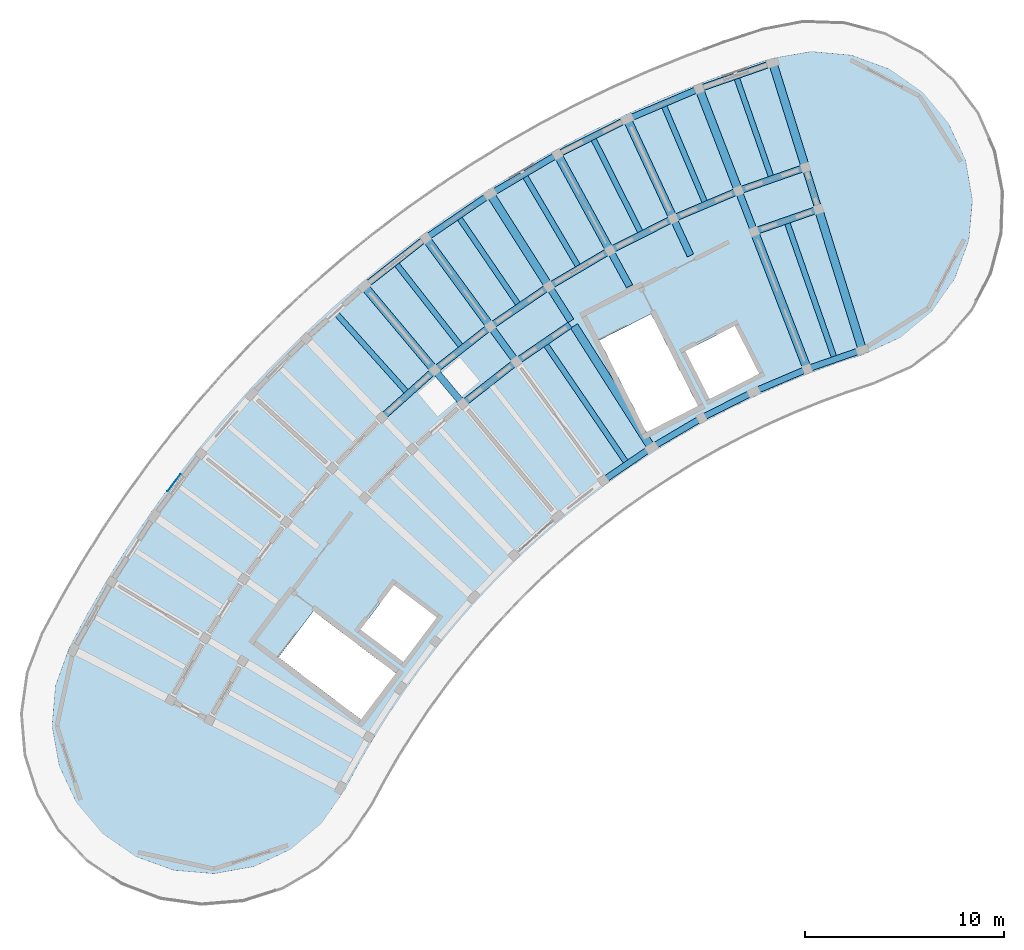
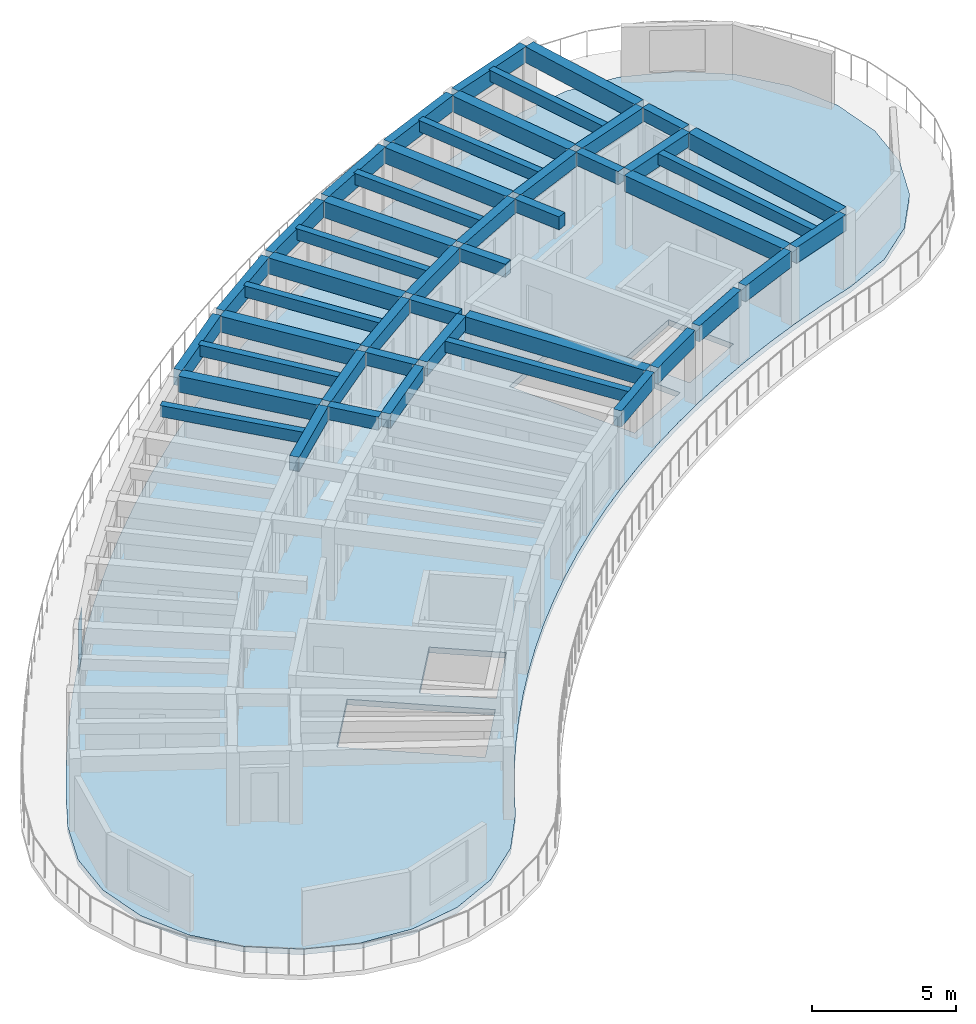
# One storey, part 3 of 9: 47 beams, 1 plate, 1 slab.
"""IFC4 building model written with IfcOpenShell, lengths in metres."""

from ifc_helpers import new_model, si_unit, direction, frame, origin, origin_2d, place, context, subcontext, project, spatial, polyline, rectangle, outline, extrude, material, layer, layer_set, material_profile, profile_set, type_object, element, save


model = new_model("IFC4")

# Units and contexts
model_context = context("Model", 3, precision=1e-05, world=origin(), true_north=direction((0.0, 1.0)))
body_context = subcontext(model_context, "Body", "Model", "MODEL_VIEW")
ifc_project = project(units=[si_unit("LENGTHUNIT", "METRE"), si_unit("AREAUNIT", "SQUARE_METRE"), si_unit("VOLUMEUNIT", "CUBIC_METRE"), si_unit("PLANEANGLEUNIT", "RADIAN"), si_unit("MASSUNIT", "GRAM", prefix="KILO")], contexts=[model_context])

# Site, building, storey
site_placement = place(None, origin())
site = spatial("IfcSite", under=ifc_project, at=site_placement, CompositionType="ELEMENT")
building_placement = place(site_placement, origin())
building = spatial("IfcBuilding", under=site, at=building_placement, Name="Tanwirah Colonnade Gardens", CompositionType="ELEMENT")
storey_placement = place(building_placement, frame((0.0, 0.0, 49.159912109375)))
storey = spatial("IfcBuildingStorey", under=building, at=storey_placement, Name="L14", CompositionType="ELEMENT", Elevation=49.159912109375)

# Beams
ifc_material_1 = material(Name="Precast concrete C40/50", Category="concrete")
ifc_material_profile_1 = material_profile(ifc_material_1, rectangle(XDim=0.35009765625, YDim=0.550048828125, at=origin_2d()), Name="PC-BM 350x550")
ifc_profile_set_1 = profile_set([ifc_material_profile_1], Name="Precast concrete C40/50")
beam_type_1 = type_object("IfcBeamType", Name="BM-PC350A", PredefinedType="BEAM", material=ifc_profile_set_1)
for number, where, z_axis, x_axis, name in (
    (1, (49.507568359375, 109.838623046875, 2.8251953125), (-0.297857918398, 0.954610213882, 0.0), (-0.954610213882, -0.297857918398, 0.0), "Block A L14 Corridor Tie Beam 3"),
    (2, (46.270751953125, 108.7099609375, 2.8251953125), (-0.360175656082, 0.932884503444, 0.0), (-0.932884503444, -0.360175656082, 0.0), "Block A L14 Corridor Tie Beam 4"),
    (3, (43.115234375, 107.37060546875, 2.8251953125), (-0.420858322681, 0.90712638162, 0.0), (-0.90712638162, -0.420858322681, 0.0), "Block A L14 Corridor Tie Beam 5"),
    (4, (40.054931640625, 105.826171875, 2.8251953125), (-0.479707235792, 0.877428611301, 0.0), (-0.877428611301, -0.479707235792, 0.0), "Block A L14 Corridor Tie Beam 6"),
    (5, (37.10302734375, 104.08349609375, 2.8251953125), (-0.536509579595, 0.843894229749, 0.0), (-0.843894229749, -0.536509579595, 0.0), "Block A L14 Corridor Tie Beam 7"),
):
    element("IfcBeam", number, at=place(storey_placement, frame(where, z_axis=z_axis, x_axis=x_axis)), inside=storey, type_object=beam_type_1, Name=name, PredefinedType="BEAM", context=body_context, shape_type="SweptSolid", body=[
        extrude(rectangle(XDim=0.35009765625, YDim=0.550048828125, at=origin_2d()), origin(), (0.0, 0.0, 1.0), 1.89990234375),
    ])
beam_1_placement = place(storey_placement, frame((34.272216796875, 102.14990234375, 2.8251953125), z_axis=(-0.590895676149, 0.806747977939, 0.0), x_axis=(-0.806747977939, -0.590895676149, 0.0)))
element("IfcBeam", 6, at=beam_1_placement, inside=storey, type_object=beam_type_1, Name="Block A L14 Corridor Tie Beam 8", PredefinedType="BEAM", context=body_context, shape_type="SweptSolid", body=[
    extrude(rectangle(XDim=0.35009765625, YDim=0.550048828125, at=origin_2d()), origin(), (0.0, 0.0, 1.0), 1.900146484375),
])
beam_2_placement = place(storey_placement, frame((31.574951171875, 100.034423828125, 2.8251953125), z_axis=(-0.642797194343, 0.766036400535, 0.0), x_axis=(-0.766036400535, -0.642797194343, 0.0)))
element("IfcBeam", 7, at=beam_2_placement, inside=storey, type_object=beam_type_1, Name="Block A L14 Corridor Tie Beam 9", PredefinedType="BEAM", context=body_context, shape_type="SweptSolid", body=[
    extrude(rectangle(XDim=0.35009765625, YDim=0.550048828125, at=origin_2d()), origin(), (0.0, 0.0, 1.0), 1.89990234375),
])
ifc_material_profile_2 = material_profile(ifc_material_1, rectangle(XDim=0.35009765625, YDim=0.60009765625, at=origin_2d()), Name="PC-BM 350x600")
ifc_profile_set_2 = profile_set([ifc_material_profile_2], Name="Precast concrete C40/50")
beam_type_2 = type_object("IfcBeamType", Name="BM-PC350B", PredefinedType="BEAM", material=ifc_profile_set_2)
beam_3_placement = place(storey_placement, frame((49.41064453125, 109.64599609375, 2.800048828125), z_axis=(-0.944248304077, -0.329234172358, 0.0), x_axis=(0.329234172358, -0.944248304077, 0.0)))
element("IfcBeam", 8, at=beam_3_placement, inside=storey, type_object=beam_type_2, Name="Block A L14 Circumferential Beam 3-R1", PredefinedType="BEAM", context=body_context, shape_type="SweptSolid", body=[
    extrude(rectangle(XDim=0.35009765625, YDim=0.60009765625, at=origin_2d()), origin(), (0.0, 0.0, 1.0), 3.1181640625),
])
for number, where, z_axis, x_axis, name in (
    (9, (48.755126953125, 111.74609375, 2.800048828125), (-0.944231021702, -0.329283734272, 0.0), (0.329283734272, -0.944231021702, 0.0), "Block A L14 Circumferential Beam 3-R2"),
    (10, (45.394287109375, 110.563720703125, 2.800048828125), (-0.920513294115, -0.390711242938, 0.0), (0.390711242938, -0.920513294115, 0.0), "Block A L14 Circumferential Beam 4-R2"),
):
    element("IfcBeam", number, at=place(storey_placement, frame(where, z_axis=z_axis, x_axis=x_axis)), inside=storey, type_object=beam_type_2, Name=name, PredefinedType="BEAM", context=body_context, shape_type="SweptSolid", body=[
        extrude(rectangle(XDim=0.35009765625, YDim=0.60009765625, at=origin_2d()), origin(), (0.0, 0.0, 1.0), 3.262939453125),
    ])
for number, where, z_axis, x_axis, name in (
    (11, (42.11865234375, 109.16259765625, 2.800048828125), (-0.89276014323, -0.450532270387, 0.0), (0.450532270387, -0.89276014323, 0.0), "Block A L14 Circumferential Beam 5-R2"),
    (12, (38.9423828125, 107.548583984375, 2.800048828125), (-0.861134978964, -0.508376384193, 0.0), (0.508376384193, -0.861134978964, 0.0), "Block A L14 Circumferential Beam 6-R2"),
):
    element("IfcBeam", number, at=place(storey_placement, frame(where, z_axis=z_axis, x_axis=x_axis)), inside=storey, type_object=beam_type_2, Name=name, PredefinedType="BEAM", context=body_context, shape_type="SweptSolid", body=[
        extrude(rectangle(XDim=0.35009765625, YDim=0.60009765625, at=origin_2d()), origin(), (0.0, 0.0, 1.0), 3.26318359375),
    ])
beam_4_placement = place(storey_placement, frame((37.0595703125, 103.872314453125, 2.800048828125), z_axis=(-0.825758291455, -0.564024152047, 0.0), x_axis=(0.564024152047, -0.825758291455, 0.0)))
element("IfcBeam", 13, at=beam_4_placement, inside=storey, type_object=beam_type_2, Name="Block A L14 Circumferential Beam 7-R1", PredefinedType="BEAM", context=body_context, shape_type="SweptSolid", body=[
    extrude(rectangle(XDim=0.35009765625, YDim=0.60009765625, at=origin_2d()), origin(), (0.0, 0.0, 1.0), 3.118408203125),
])
beam_5_placement = place(storey_placement, frame((35.87939453125, 105.728759765625, 2.800048828125), z_axis=(-0.825782284145, -0.563989024, 0.0), x_axis=(0.563989024, -0.825782284145, 0.0)))
element("IfcBeam", 14, at=beam_5_placement, inside=storey, type_object=beam_type_2, Name="Block A L14 Circumferential Beam 7-R2", PredefinedType="BEAM", context=body_context, shape_type="SweptSolid", body=[
    extrude(rectangle(XDim=0.35009765625, YDim=0.60009765625, at=origin_2d()), origin(), (0.0, 0.0, 1.0), 3.26318359375),
])
beam_6_placement = place(storey_placement, frame((34.242919921875, 101.9365234375, 2.800048828125), z_axis=(-0.78679899272, -0.617209320292, 0.0), x_axis=(0.617209320292, -0.78679899272, 0.0)))
element("IfcBeam", 15, at=beam_6_placement, inside=storey, type_object=beam_type_2, Name="Block A L14 Circumferential Beam 8-R1", PredefinedType="BEAM", context=body_context, shape_type="SweptSolid", body=[
    extrude(rectangle(XDim=0.35009765625, YDim=0.60009765625, at=origin_2d()), origin(), (0.0, 0.0, 1.0), 3.1181640625),
])
for number, where, z_axis, x_axis, name in (
    (16, (32.94287109375, 103.711181640625, 2.800048828125), (-0.786839882256, -0.617157192044, 0.0), (0.617157192044, -0.786839882256, 0.0), "Block A L14 Circumferential Beam 8-R2"),
    (17, (30.145751953125, 101.504638671875, 2.800048828125), (-0.744409136578, -0.667723773262, 0.0), (0.667723773262, -0.744409136578, 0.0), "Block A L14 Circumferential Beam 9-R2"),
):
    element("IfcBeam", number, at=place(storey_placement, frame(where, z_axis=z_axis, x_axis=x_axis)), inside=storey, type_object=beam_type_2, Name=name, PredefinedType="BEAM", context=body_context, shape_type="SweptSolid", body=[
        extrude(rectangle(XDim=0.35009765625, YDim=0.60009765625, at=origin_2d()), origin(), (0.0, 0.0, 1.0), 3.26318359375),
    ])
ifc_material_2 = material(Name="Precast concrete C45/55", Category="concrete")
ifc_material_profile_3 = material_profile(ifc_material_2, rectangle(XDim=0.419921875, YDim=0.679931640625, at=origin_2d()), Name="PC-BM 420x680")
ifc_profile_set_3 = profile_set([ifc_material_profile_3], Name="Precast concrete C45/55")
beam_type_3 = type_object("IfcBeamType", Name="BM-PC420", PredefinedType="BEAM", material=ifc_profile_set_3)
beam_7_placement = place(storey_placement, frame((49.596923828125, 109.55224609375, 2.760009765625), z_axis=(0.297951921971, -0.954580877765, 0.0), x_axis=(0.954580877765, 0.297951921971, 0.0)))
element("IfcBeam", 18, at=beam_7_placement, inside=storey, type_object=beam_type_3, Name="Block A L14 Inner Radial Precast Girder 3", PredefinedType="BEAM", context=body_context, shape_type="SweptSolid", body=[
    extrude(rectangle(XDim=0.419921875, YDim=0.679931640625, at=origin_2d()), origin(), (0.0, 0.0, 1.0), 7.10009765625),
])
beam_8_placement = place(storey_placement, frame((48.852294921875, 111.938720703125, 2.760009765625), z_axis=(-0.297943486107, 0.954583510798, 0.0), x_axis=(-0.954583510798, -0.297943486107, 0.0)))
element("IfcBeam", 19, at=beam_8_placement, inside=storey, type_object=beam_type_3, Name="Block A L14 Outer Radial Precast Girder 3", PredefinedType="BEAM", context=body_context, shape_type="SweptSolid", body=[
    extrude(rectangle(XDim=0.419921875, YDim=0.679931640625, at=origin_2d()), origin(), (0.0, 0.0, 1.0), 5.199951171875),
])
beam_9_placement = place(storey_placement, frame((46.37890625, 108.43017578125, 2.760009765625), z_axis=(0.360158550024, -0.93289110771, 0.0), x_axis=(0.93289110771, 0.360158550024, 0.0)))
element("IfcBeam", 20, at=beam_9_placement, inside=storey, type_object=beam_type_3, Name="Block A L14 Inner Radial Precast Girder 4", PredefinedType="BEAM", context=body_context, shape_type="SweptSolid", body=[
    extrude(rectangle(XDim=0.419921875, YDim=0.679931640625, at=origin_2d()), origin(), (0.0, 0.0, 1.0), 7.10009765625),
])
for number, where, z_axis, x_axis, name in (
    (21, (45.478271484375, 110.76220703125, 2.760009765625), (-0.360152299809, 0.932893520688, 0.0), (-0.932893520688, -0.360152299809, 0.0), "Block A L14 Outer Radial Precast Girder 4"),
    (22, (42.189453125, 109.3662109375, 2.760009765625), (-0.420861611985, 0.907124855551, 0.0), (-0.907124855551, -0.420861611985, 0.0), "Block A L14 Outer Radial Precast Girder 5"),
    (23, (38.99951171875, 107.75634765625, 2.760009765625), (-0.479684149655, 0.877441232545, 0.0), (-0.877441232545, -0.479684149655, 0.0), "Block A L14 Outer Radial Precast Girder 6"),
):
    element("IfcBeam", number, at=place(storey_placement, frame(where, z_axis=z_axis, x_axis=x_axis)), inside=storey, type_object=beam_type_3, Name=name, PredefinedType="BEAM", context=body_context, shape_type="SweptSolid", body=[
        extrude(rectangle(XDim=0.419921875, YDim=0.679931640625, at=origin_2d()), origin(), (0.0, 0.0, 1.0), 5.199951171875),
    ])
beam_10_placement = place(storey_placement, frame((37.263916015625, 103.830322265625, 2.760009765625), z_axis=(0.536477171385, -0.843914832541, 0.0), x_axis=(0.843914832541, 0.536477171385, 0.0)))
element("IfcBeam", 24, at=beam_10_placement, inside=storey, type_object=beam_type_3, Name="Block A L14 Inner Radial Precast Girder 7", PredefinedType="BEAM", context=body_context, shape_type="SweptSolid", body=[
    extrude(rectangle(XDim=0.419921875, YDim=0.679931640625, at=origin_2d()), origin(), (0.0, 0.0, 1.0), 7.10009765625),
])
for number, where, z_axis, x_axis, name in (
    (25, (35.922607421875, 105.93994140625, 2.760009765625), (-0.536453149191, 0.843930102985, 0.0), (-0.843930102985, -0.536453149191, 0.0), "Block A L14 Outer Radial Precast Girder 7"),
    (26, (32.97216796875, 103.9248046875, 2.760009765625), (-0.590909677043, 0.806737722917, 0.0), (-0.806737722917, -0.590909677043, 0.0), "Block A L14 Outer Radial Precast Girder 8"),
    (27, (30.160888671875, 101.7197265625, 2.760009765625), (-0.642794509039, 0.766038653822, 0.0), (-0.766038653822, -0.642794509039, 0.0), "Block A L14 Outer Radial Precast Girder 9"),
):
    element("IfcBeam", number, at=place(storey_placement, frame(where, z_axis=z_axis, x_axis=x_axis)), inside=storey, type_object=beam_type_3, Name=name, PredefinedType="BEAM", context=body_context, shape_type="SweptSolid", body=[
        extrude(rectangle(XDim=0.419921875, YDim=0.679931640625, at=origin_2d()), origin(), (0.0, 0.0, 1.0), 5.199951171875),
    ])
ifc_material_profile_4 = material_profile(ifc_material_1, rectangle(XDim=0.280029296875, YDim=0.47998046875, at=origin_2d()), Name="PC-JST 280x480")
ifc_profile_set_4 = profile_set([ifc_material_profile_4], Name="Precast concrete C40/50")
beam_type_4 = type_object("IfcBeamType", Name="JST-PC280", PredefinedType="JOIST", material=ifc_profile_set_4)
beam_11_placement = place(storey_placement, frame((47.16552734375, 111.349853515625, 2.860107421875), z_axis=(-0.3292586038, 0.944239785131, 0.0), x_axis=(-0.944239785131, -0.3292586038, 0.0)))
element("IfcBeam", 28, at=beam_11_placement, inside=storey, type_object=beam_type_4, Name="Block A L14 Precast Floor Joist 3", PredefinedType="JOIST", context=body_context, shape_type="SweptSolid", body=[
    extrude(rectangle(XDim=0.280029296875, YDim=0.47998046875, at=origin_2d()), origin(), (0.0, 0.0, 1.0), 5.260009765625),
])
beam_12_placement = place(storey_placement, frame((50.326171875, 102.28515625, 2.860107421875), z_axis=(-0.329250558112, 0.944242590642, 0.0), x_axis=(-0.944242590642, -0.329250558112, 0.0)))
element("IfcBeam", 29, at=beam_12_placement, inside=storey, type_object=beam_type_4, Name="Block A L14 Inner Precast Floor Joist 3", PredefinedType="JOIST", context=body_context, shape_type="SweptSolid", body=[
    extrude(rectangle(XDim=0.280029296875, YDim=0.47998046875, at=origin_2d()), origin(), (0.0, 0.0, 1.0), 7.159912109375),
])
beam_13_placement = place(storey_placement, frame((43.833984375, 110.063720703125, 2.860107421875), z_axis=(-0.390723870106, 0.92050793442, 0.0), x_axis=(-0.92050793442, -0.390723870106, 0.0)))
element("IfcBeam", 30, at=beam_13_placement, inside=storey, type_object=beam_type_4, Name="Block A L14 Precast Floor Joist 4", PredefinedType="JOIST", context=body_context, shape_type="SweptSolid", body=[
    extrude(rectangle(XDim=0.280029296875, YDim=0.47998046875, at=origin_2d()), origin(), (0.0, 0.0, 1.0), 5.260009765625),
])
for number, where, z_axis, x_axis, name in (
    (31, (40.5947265625, 108.560791015625, 2.860107421875), (-0.450533699488, 0.892759422031, 0.0), (-0.892759422031, -0.450533699488, 0.0), "Block A L14 Precast Floor Joist 5"),
    (32, (37.46142578125, 106.84765625, 2.860107421875), (-0.508360236823, 0.86114451146, 0.0), (-0.86114451146, -0.508360236823, 0.0), "Block A L14 Precast Floor Joist 6"),
):
    element("IfcBeam", number, at=place(storey_placement, frame(where, z_axis=z_axis, x_axis=x_axis)), inside=storey, type_object=beam_type_4, Name=name, PredefinedType="JOIST", context=body_context, shape_type="SweptSolid", body=[
        extrude(rectangle(XDim=0.280029296875, YDim=0.47998046875, at=origin_2d()), origin(), (0.0, 0.0, 1.0), 5.26025390625),
    ])
beam_14_placement = place(storey_placement, frame((34.44775390625, 104.931884765625, 2.860107421875), z_axis=(-0.563973225998, 0.825793073571, 0.0), x_axis=(-0.825793073571, -0.563973225998, 0.0)))
element("IfcBeam", 33, at=beam_14_placement, inside=storey, type_object=beam_type_4, Name="Block A L14 Precast Floor Joist 7", PredefinedType="JOIST", context=body_context, shape_type="SweptSolid", body=[
    extrude(rectangle(XDim=0.280029296875, YDim=0.47998046875, at=origin_2d()), origin(), (0.0, 0.0, 1.0), 5.260009765625),
])
beam_15_placement = place(storey_placement, frame((39.8623046875, 97.004638671875, 2.860107421875), z_axis=(-0.564021195806, 0.825760310672, 0.0), x_axis=(-0.825760310672, -0.564021195806, 0.0)))
element("IfcBeam", 34, at=beam_15_placement, inside=storey, type_object=beam_type_4, Name="Block A L14 Inner Precast Floor Joist 7", PredefinedType="JOIST", context=body_context, shape_type="SweptSolid", body=[
    extrude(rectangle(XDim=0.280029296875, YDim=0.47998046875, at=origin_2d()), origin(), (0.0, 0.0, 1.0), 7.159912109375),
])
for number, where, z_axis, x_axis, name in (
    (35, (31.56689453125, 102.82177734375, 2.860107421875), (-0.617177687243, 0.786823806433, 0.0), (-0.786823806433, -0.617177687243, 0.0), "Block A L14 Precast Floor Joist 8"),
    (36, (28.831298828125, 100.5263671875, 2.860107421875), (-0.667678987176, 0.744449306591, 0.0), (-0.744449306591, -0.667678987176, 0.0), "Block A L14 Precast Floor Joist 9"),
):
    element("IfcBeam", number, at=place(storey_placement, frame(where, z_axis=z_axis, x_axis=x_axis)), inside=storey, type_object=beam_type_4, Name=name, PredefinedType="JOIST", context=body_context, shape_type="SweptSolid", body=[
        extrude(rectangle(XDim=0.280029296875, YDim=0.47998046875, at=origin_2d()), origin(), (0.0, 0.0, 1.0), 5.260009765625),
    ])
ifc_material_profile_5 = material_profile(ifc_material_2, rectangle(XDim=0.320068359375, YDim=0.679931640625, at=origin_2d()), Name="PC-SP 320x680")
ifc_profile_set_5 = profile_set([ifc_material_profile_5], Name="Precast concrete C45/55")
beam_type_5 = type_object("IfcBeamType", Name="SP-PC320", PredefinedType="SPANDREL", material=ifc_profile_set_5)
beam_16_placement = place(storey_placement, frame((51.615478515625, 102.58203125, 2.760009765625), z_axis=(-0.944249847334, -0.32922974624, 0.0), x_axis=(0.32922974624, -0.944249847334, 0.0)))
element("IfcBeam", 37, at=beam_16_placement, inside=storey, type_object=beam_type_5, Name="Block A L14 Circumferential Beam 3-R0", PredefinedType="SPANDREL", context=body_context, shape_type="SweptSolid", body=[
    extrude(rectangle(XDim=0.320068359375, YDim=0.679931640625, at=origin_2d()), origin(), (0.0, 0.0, 1.0), 2.63037109375),
])
beam_17_placement = place(storey_placement, frame((47.11669921875, 116.996337890625, 2.760009765625), z_axis=(-0.944236700093, -0.329267450863, 0.0), x_axis=(0.329267450863, -0.944236700093, 0.0)))
element("IfcBeam", 38, at=beam_17_placement, inside=storey, type_object=beam_type_5, Name="Block A L14 Circumferential Beam 3-R3", PredefinedType="SPANDREL", context=body_context, shape_type="SweptSolid", body=[
    extrude(rectangle(XDim=0.320068359375, YDim=0.679931640625, at=origin_2d()), origin(), (0.0, 0.0, 1.0), 3.625732421875),
])
beam_18_placement = place(storey_placement, frame((48.85205078125, 101.608154296875, 2.760009765625), z_axis=(-0.920488719784, -0.390769134848, 0.0), x_axis=(0.390769134848, -0.920488719784, 0.0)))
element("IfcBeam", 39, at=beam_18_placement, inside=storey, type_object=beam_type_5, Name="Block A L14 Circumferential Beam 4-R0", PredefinedType="SPANDREL", context=body_context, shape_type="SweptSolid", body=[
    extrude(rectangle(XDim=0.320068359375, YDim=0.679931640625, at=origin_2d()), origin(), (0.0, 0.0, 1.0), 2.63037109375),
])
beam_19_placement = place(storey_placement, frame((43.413330078125, 115.694580078125, 2.760009765625), z_axis=(-0.920494456807, -0.390755620545, 0.0), x_axis=(0.390755620545, -0.920494456807, 0.0)))
element("IfcBeam", 40, at=beam_19_placement, inside=storey, type_object=beam_type_5, Name="Block A L14 Circumferential Beam 4-R3", PredefinedType="SPANDREL", context=body_context, shape_type="SweptSolid", body=[
    extrude(rectangle(XDim=0.320068359375, YDim=0.679931640625, at=origin_2d()), origin(), (0.0, 0.0, 1.0), 3.625732421875),
])
beam_20_placement = place(storey_placement, frame((46.158935546875, 100.4541015625, 2.760009765625), z_axis=(-0.892769015158, -0.450514689632, 0.0), x_axis=(0.450514689632, -0.892769015158, 0.0)))
element("IfcBeam", 41, at=beam_20_placement, inside=storey, type_object=beam_type_5, Name="Block A L14 Circumferential Beam 5-R0", PredefinedType="SPANDREL", context=body_context, shape_type="SweptSolid", body=[
    extrude(rectangle(XDim=0.320068359375, YDim=0.679931640625, at=origin_2d()), origin(), (0.0, 0.0, 1.0), 2.63037109375),
])
beam_21_placement = place(storey_placement, frame((39.803955078125, 114.15185546875, 2.760009765625), z_axis=(-0.892764670911, -0.450523298368, 0.0), x_axis=(0.450523298368, -0.892764670911, 0.0)))
element("IfcBeam", 42, at=beam_21_placement, inside=storey, type_object=beam_type_5, Name="Block A L14 Circumferential Beam 5-R3", PredefinedType="SPANDREL", context=body_context, shape_type="SweptSolid", body=[
    extrude(rectangle(XDim=0.320068359375, YDim=0.679931640625, at=origin_2d()), origin(), (0.0, 0.0, 1.0), 3.6259765625),
])
beam_22_placement = place(storey_placement, frame((43.547607421875, 99.125244140625, 2.760009765625), z_axis=(-0.861148181788, -0.508354019363, 0.0), x_axis=(0.508354019363, -0.861148181788, 0.0)))
element("IfcBeam", 43, at=beam_22_placement, inside=storey, type_object=beam_type_5, Name="Block A L14 Circumferential Beam 6-R0", PredefinedType="SPANDREL", context=body_context, shape_type="SweptSolid", body=[
    extrude(rectangle(XDim=0.320068359375, YDim=0.679931640625, at=origin_2d()), origin(), (0.0, 0.0, 1.0), 2.63037109375),
])
beam_23_placement = place(storey_placement, frame((36.303955078125, 112.37451171875, 2.760009765625), z_axis=(-0.861136912545, -0.5083731089, 0.0), x_axis=(0.5083731089, -0.861136912545, 0.0)))
element("IfcBeam", 44, at=beam_23_placement, inside=storey, type_object=beam_type_5, Name="Block A L14 Circumferential Beam 6-R3", PredefinedType="SPANDREL", context=body_context, shape_type="SweptSolid", body=[
    extrude(rectangle(XDim=0.320068359375, YDim=0.679931640625, at=origin_2d()), origin(), (0.0, 0.0, 1.0), 3.625732421875),
])
beam_24_placement = place(storey_placement, frame((41.029541015625, 97.627197265625, 2.760009765625), z_axis=(-0.825800981874, -0.563961646158, 0.0), x_axis=(0.563961646158, -0.825800981874, 0.0)))
element("IfcBeam", 45, at=beam_24_placement, inside=storey, type_object=beam_type_5, Name="Block A L14 Circumferential Beam 7-R0", PredefinedType="SPANDREL", context=body_context, shape_type="SweptSolid", body=[
    extrude(rectangle(XDim=0.320068359375, YDim=0.679931640625, at=origin_2d()), origin(), (0.0, 0.0, 1.0), 2.63037109375),
])
beam_25_placement = place(storey_placement, frame((32.9287109375, 110.370361328125, 2.760009765625), z_axis=(-0.825782625102, -0.563988524776, 0.0), x_axis=(0.563988524776, -0.825782625102, 0.0)))
element("IfcBeam", 46, at=beam_25_placement, inside=storey, type_object=beam_type_5, Name="Block A L14 Circumferential Beam 7-R3", PredefinedType="SPANDREL", context=body_context, shape_type="SweptSolid", body=[
    extrude(rectangle(XDim=0.320068359375, YDim=0.679931640625, at=origin_2d()), origin(), (0.0, 0.0, 1.0), 3.625732421875),
])
beam_26_placement = place(storey_placement, frame((29.69287109375, 108.148193359375, 2.760009765625), z_axis=(-0.786843799845, -0.617152197311, 0.0), x_axis=(0.617152197311, -0.786843799845, 0.0)))
element("IfcBeam", 47, at=beam_26_placement, inside=storey, type_object=beam_type_5, Name="Block A L14 Circumferential Beam 8-R3", PredefinedType="SPANDREL", context=body_context, shape_type="SweptSolid", body=[
    extrude(rectangle(XDim=0.320068359375, YDim=0.679931640625, at=origin_2d()), origin(), (0.0, 0.0, 1.0), 3.62548828125),
])

# Plate
ifc_material_3 = material(Name="Laser-cut bronze aluminium solar screen plate", Category="aluminium")
ifc_layer_1 = layer(ifc_material_3, 0.01611328125)
ifc_layer_set_1 = layer_set([ifc_layer_1], Name="Laser-cut bronze aluminium solar screen plate")
plate_type = type_object("IfcPlateType", Name="PLT-SCR16", PredefinedType="SHEET", material=ifc_layer_set_1)
plate_placement = place(storey_placement, frame((17.15185546875, 95.944091796875, 0.0), z_axis=(0.0, 0.0, 1.0), x_axis=(-0.598711833846, -0.800964506088, 0.0)))
element("IfcPlate", 48, at=plate_placement, inside=storey, type_object=plate_type, Name="Perforated solar screen plate A-L14-12", PredefinedType="SHEET", context=body_context, shape_type="SweptSolid", body=[
    extrude(rectangle(XDim=1.080078125, YDim=0.01611328125, at=origin_2d()), origin(), (0.0, 0.0, 1.0), 2.10009765625),
])

# Slab
ifc_layer_2 = layer(ifc_material_1, 0.239990234375)
ifc_layer_set_2 = layer_set([ifc_layer_2], Name="Precast concrete C40/50")
slab_type = type_object("IfcSlabType", Name="SL-RES-240", PredefinedType="FLOOR", material=ifc_layer_set_2)
slab_placement = place(storey_placement, frame((0.0, 0.0, -0.239990234375)))
element("IfcSlab", 49, at=slab_placement, inside=storey, type_object=slab_type, Name="Block A L14 Precast Composite Floor Slab", PredefinedType="FLOOR", context=body_context, shape_type="SweptSolid", body=[
    extrude(outline(polyline([(49.080078125, 101.433349609375), (50.447998046875, 101.935791015625), (51.83154296875, 102.392822265625), (53.679443359375, 103.248046875), (55.242919921875, 104.55224609375), (56.415771484375, 106.216796875), (57.11767578125, 108.128173828125), (57.30126953125, 110.156005859375), (56.953369140625, 112.162353515625), (56.09814453125, 114.01025390625), (54.7939453125, 115.573974609375), (53.12939453125, 116.746826171875), (51.218017578125, 117.44873046875), (49.190185546875, 117.632080078125), (47.183837890625, 117.284423828125), (45.311767578125, 116.666015625), (43.46142578125, 115.986328125), (41.63427734375, 115.24609375), (39.83251953125, 114.446044921875), (38.05810546875, 113.587158203125), (36.313232421875, 112.669921875), (34.599365234375, 111.696044921875), (32.91845703125, 110.666015625), (31.2724609375, 109.5810546875), (29.6630859375, 108.442626953125), (28.092041015625, 107.25146484375), (26.561279296875, 106.009521484375), (25.072265625, 104.717529296875), (23.62646484375, 103.377197265625), (22.225830078125, 101.990234375), (20.87158203125, 100.5576171875), (19.5654296875, 99.0810546875), (18.30859375, 97.562255859375), (17.102294921875, 96.0029296875), (15.9482421875, 94.40478515625), (14.847412109375, 92.76953125), (13.80126953125, 91.0986328125), (12.810546875, 89.394287109375), (11.876708984375, 87.658203125), (11.185791015625, 85.74267578125), (11.01416015625, 83.7138671875), (11.37353515625, 81.70947265625), (12.239501953125, 79.86669921875), (13.552978515625, 78.310546875), (15.224365234375, 77.1474609375), (17.1396484375, 76.456787109375), (19.168701171875, 76.28515625), (21.1728515625, 76.64453125), (23.015869140625, 77.510498046875), (24.57177734375, 78.82373046875), (25.73486328125, 80.4951171875), (26.42529296875, 81.7783203125), (27.157470703125, 83.0380859375), (27.9306640625, 84.27294921875), (28.744384765625, 85.48193359375), (29.597412109375, 86.6630859375), (30.489013671875, 87.815673828125), (31.41796875, 88.938232421875), (32.38330078125, 90.029541015625), (33.38427734375, 91.08837890625), (34.419677734375, 92.11376953125), (35.48828125, 93.104248046875), (36.5888671875, 94.05908203125), (37.72021484375, 94.977294921875), (38.88134765625, 95.857421875), (40.07080078125, 96.698974609375), (41.28759765625, 97.5009765625), (42.52978515625, 98.26220703125), (43.796630859375, 98.982177734375), (45.08642578125, 99.659912109375), (46.39794921875, 100.294921875), (47.729736328125, 100.88623046875), (49.080078125, 101.433349609375)]), holes=[polyline([(41.13427734375, 104.433349609375), (43.49365234375, 99.802734375), (40.897216796875, 98.479736328125), (38.537841796875, 103.1103515625), (41.13427734375, 104.433349609375)]), polyline([(46.574462890625, 101.428466796875), (44.07958984375, 100.157470703125), (42.853759765625, 102.563232421875), (45.3486328125, 103.834228515625), (46.574462890625, 101.428466796875)]), polyline([(26.555908203125, 84.039794921875), (22.4052734375, 87.16748046875), (24.158935546875, 89.49462890625), (28.3095703125, 86.366943359375), (26.555908203125, 84.039794921875)]), polyline([(26.5244140625, 88.5673828125), (28.20947265625, 90.8037109375), (30.36572265625, 89.1787109375), (28.6806640625, 86.942626953125), (26.5244140625, 88.5673828125)])]), origin(), (0.0, 0.0, 1.0), 0.239990234375),
])

save(model, "model.ifc")
